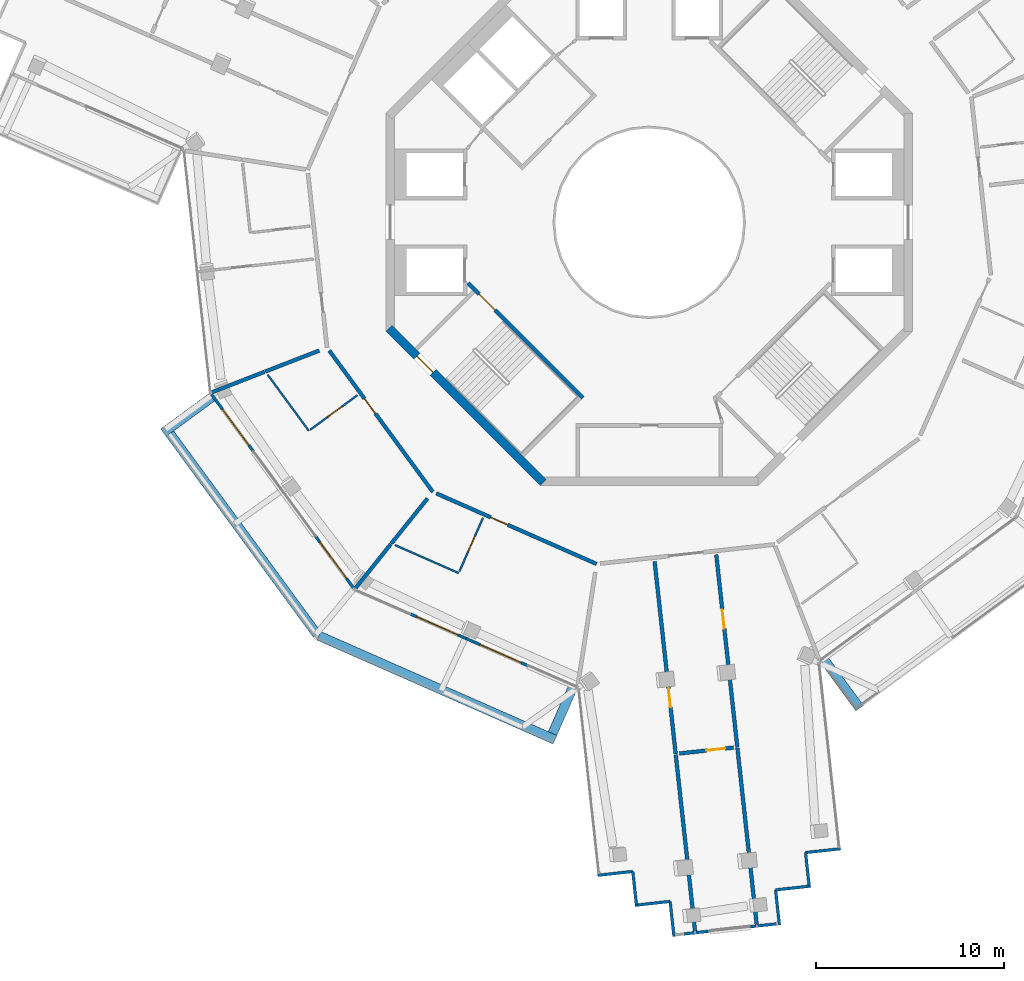
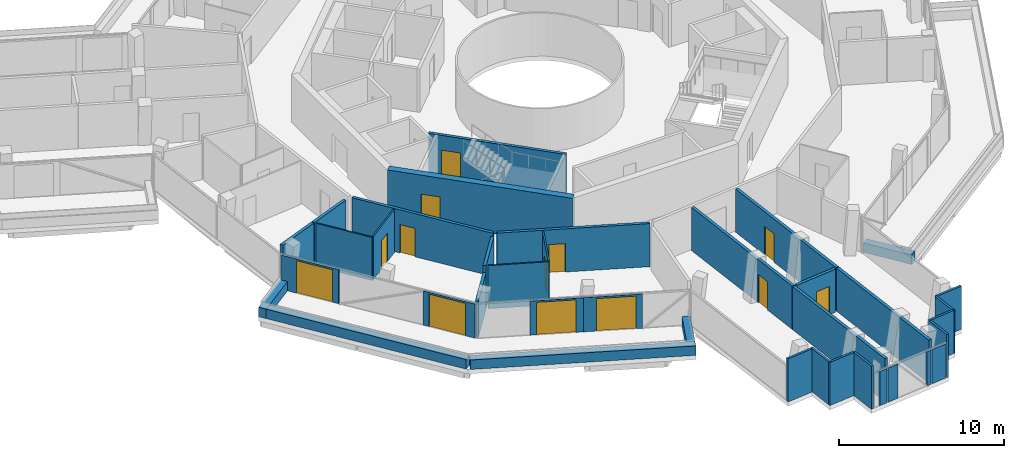
# One storey, part 16 of 24: 38 walls, 13 doors, 13 openings.
"""IFC4 building model written with IfcOpenShell, lengths in metres."""

from ifc_helpers import new_model, si_unit, direction, frame, frame_2d, origin, place, context, subcontext, project, spatial, rectangle, extrude, material, layer, layer_set, type_object, element, fill, save


model = new_model("IFC4")

# Units and contexts
model_context = context("Model", 3, precision=1e-05, world=origin(), true_north=direction((0.0, 1.0)))
body_context = subcontext(model_context, "Body", "Model", "MODEL_VIEW")
ifc_project = project(units=[si_unit("LENGTHUNIT", "METRE"), si_unit("AREAUNIT", "SQUARE_METRE"), si_unit("VOLUMEUNIT", "CUBIC_METRE"), si_unit("PLANEANGLEUNIT", "RADIAN"), si_unit("MASSUNIT", "GRAM", prefix="KILO")], contexts=[model_context])

# Site, building, storey
site_placement = place(None, origin())
site = spatial("IfcSite", under=ifc_project, at=site_placement, CompositionType="ELEMENT")
building_placement = place(site_placement, origin())
building = spatial("IfcBuilding", under=site, at=building_placement, Name="Verdalira Terraces Hotel", CompositionType="ELEMENT")
storey_placement = place(building_placement, frame((0.0, 0.0, 303.0)))
storey = spatial("IfcBuildingStorey", under=building, at=storey_placement, Name="L75", CompositionType="ELEMENT", Elevation=303.0)

# Walls
ifc_material_1 = material(Name="Concrete C40", Category="concrete")
ifc_layer_1 = layer(ifc_material_1, 0.5)
ifc_layer_set_1 = layer_set([ifc_layer_1], Name="Balcony planter trough with tree")
wall_type_1 = type_object("IfcWallType", Name="Balcony planter trough with tree", PredefinedType="SOLIDWALL", material=ifc_layer_set_1)
wall_1_placement = place(storey_placement, frame((-23.26123, -9.300537, 0.0), z_axis=(0.0, 0.0, 1.0), x_axis=(-0.806545701, -0.591171745, 0.0)))
element("IfcWall", 1, at=wall_1_placement, inside=storey, type_object=wall_type_1, Name="Balcony planter", PredefinedType="SOLIDWALL", context=body_context, shape_type="SweptSolid", body=[
    extrude(rectangle(XDim=3.198975, YDim=0.5, at=frame_2d((1.599609, 0.0))), origin(), (0.0, 0.0, 1.0), 0.699951),
])
wall_2_placement = place(storey_placement, frame((-25.491943, -11.245361, 0.0), z_axis=(0.0, 0.0, 1.0), x_axis=(0.591166749, -0.806549363, 0.0)))
element("IfcWall", 2, at=wall_2_placement, inside=storey, type_object=wall_type_1, Name="Balcony planter", PredefinedType="SOLIDWALL", context=body_context, shape_type="SweptSolid", body=[
    extrude(rectangle(XDim=13.223633, YDim=0.5, at=frame_2d((6.611816, 0.0))), origin(), (0.0, 0.0, 1.0), 0.699951),
])
wall_3_placement = place(storey_placement, frame((-17.57373, -21.991699, 0.0), z_axis=(0.0, 0.0, 1.0), x_axis=(0.915240781, -0.402907326, 0.0)))
element("IfcWall", 3, at=wall_3_placement, inside=storey, type_object=wall_type_1, Name="Balcony planter", PredefinedType="SOLIDWALL", context=body_context, shape_type="SweptSolid", body=[
    extrude(rectangle(XDim=13.723389, YDim=0.5, at=frame_2d((6.861816, 0.0))), origin(), (0.0, 0.0, 1.0), 0.699951),
])
wall_4_placement = place(storey_placement, frame((-5.141357, -27.19165, 0.0), z_axis=(0.0, 0.0, 1.0), x_axis=(0.402862888, 0.915260342, 0.0)))
element("IfcWall", 4, at=wall_4_placement, inside=storey, type_object=wall_type_1, Name="Balcony planter", PredefinedType="SOLIDWALL", context=body_context, shape_type="SweptSolid", body=[
    extrude(rectangle(XDim=2.699219, YDim=0.5, at=frame_2d((1.349609, 0.0))), origin(), (0.0, 0.0, 1.0), 0.699951),
])
wall_5_placement = place(storey_placement, frame((9.300537, -23.26123, 0.0), z_axis=(0.0, 0.0, 1.0), x_axis=(0.591171745, -0.806545701, 0.0)))
element("IfcWall", 5, at=wall_5_placement, inside=storey, type_object=wall_type_1, Name="Balcony planter", PredefinedType="SOLIDWALL", context=body_context, shape_type="SweptSolid", body=[
    extrude(rectangle(XDim=3.198975, YDim=0.5, at=frame_2d((1.599609, 0.0))), origin(), (0.0, 0.0, 1.0), 0.699951),
])
ifc_material_2 = material(Name="Moisture-resistant gypsum board partition")
ifc_layer_2 = layer(ifc_material_2, 0.10009765625)
ifc_layer_set_2 = layer_set([ifc_layer_2], Name="Bathroom partition 100 mm")
wall_type_2 = type_object("IfcWallType", Name="Bathroom partition 100 mm", PredefinedType="PARTITIONING", material=ifc_layer_set_2)
wall_6_placement = place(storey_placement, frame((-18.104736, -11.090088, 0.0), z_axis=(0.0, 0.0, 1.0), x_axis=(-0.59111503, 0.806587268, 0.0)))
element("IfcWall", 6, at=wall_6_placement, inside=storey, type_object=wall_type_2, Name="Bathroom partition", PredefinedType="PARTITIONING", context=body_context, shape_type="SweptSolid", body=[
    extrude(rectangle(XDim=3.703857, YDim=0.100098, at=frame_2d((1.852051, 0.0))), origin(), (0.0, 0.0, 1.0), 3.189941),
])

# Wall, opening, door
wall_7_placement = place(storey_placement, frame((-18.023926, -11.031006, 0.0), z_axis=(0.0, 0.0, 1.0), x_axis=(0.806520153, 0.5912066, 0.0)))
wall_7 = element("IfcWall", 7, at=wall_7_placement, inside=storey, type_object=wall_type_2, Name="Bathroom partition", PredefinedType="PARTITIONING", context=body_context, shape_type="SweptSolid", body=[
    extrude(rectangle(XDim=3.100098, YDim=0.100098, at=frame_2d((1.550049, 0.0))), origin(), (0.0, 0.0, 1.0), 3.189941),
])
opening_1_placement = place(wall_7_placement, frame((1.149902, 0.0, 0.0)))
opening_1 = element("IfcOpeningElement", 8, at=opening_1_placement, cuts=wall_7, Name="Opening L75-109", PredefinedType="OPENING", context=body_context, shape_type="SweptSolid", body=[
    extrude(rectangle(XDim=0.899902, YDim=2.100098, at=frame_2d((0.449951, 1.050049))), frame((0.0, 0.060059, 0.0), z_axis=(0.0, -1.0, 0.0), x_axis=(1.0, 0.0, 0.0)), (0.0, 0.0, 1.0), 0.120117),
])
ifc_material_3 = material(Name="Timber door", Category="wood")
door_type_1 = type_object("IfcDoorType", Name="Bathroom door 900 x 2100", OperationType="NOTDEFINED", PredefinedType="DOOR", material=ifc_material_3)
door_1_placement = place(opening_1_placement, origin())
door_1 = element("IfcDoor", 9, at=door_1_placement, inside=storey, type_object=door_type_1, Name="Bathroom door 7503", OperationType="SINGLE_SWING_LEFT", OverallHeight=2.10009765625, OverallWidth=0.89990234375, PredefinedType="DOOR", context=body_context, shape_type="SweptSolid", body=[
    extrude(rectangle(XDim=0.899902, YDim=2.100098, at=frame_2d((0.449951, 1.050049))), frame((0.0, 0.024902, 0.0), z_axis=(0.0, -1.0, 0.0), x_axis=(1.0, 0.0, 0.0)), (0.0, 0.0, 1.0), 0.050049),
])
fill(opening_1, door_1)

# Wall
wall_8_placement = place(storey_placement, frame((-10.134033, -18.656494, 0.0), z_axis=(0.0, 0.0, 1.0), x_axis=(-0.915262542, 0.40285789, 0.0)))
element("IfcWall", 10, at=wall_8_placement, inside=storey, type_object=wall_type_2, Name="Bathroom partition", PredefinedType="PARTITIONING", context=body_context, shape_type="SweptSolid", body=[
    extrude(rectangle(XDim=3.704102, YDim=0.100098, at=frame_2d((1.852051, 0.0))), origin(), (0.0, 0.0, 1.0), 3.189941),
])

# Wall, opening, door
wall_9_placement = place(storey_placement, frame((-10.09375, -18.564941, 0.0), z_axis=(0.0, 0.0, 1.0), x_axis=(0.402920719, 0.915234885, 0.0)))
wall_9 = element("IfcWall", 11, at=wall_9_placement, inside=storey, type_object=wall_type_2, Name="Bathroom partition", PredefinedType="PARTITIONING", context=body_context, shape_type="SweptSolid", body=[
    extrude(rectangle(XDim=3.099854, YDim=0.100098, at=frame_2d((1.549805, 0.0))), origin(), (0.0, 0.0, 1.0), 3.189941),
])
opening_2_placement = place(wall_9_placement, frame((1.149902, 0.0, 0.0)))
opening_2 = element("IfcOpeningElement", 12, at=opening_2_placement, cuts=wall_9, Name="Opening L75-111", PredefinedType="OPENING", context=body_context, shape_type="SweptSolid", body=[
    extrude(rectangle(XDim=0.899902, YDim=2.100098, at=frame_2d((0.449951, 1.050049))), frame((0.0, 0.060059, 0.0), z_axis=(0.0, -1.0, 0.0), x_axis=(1.0, 0.0, 0.0)), (0.0, 0.0, 1.0), 0.120117),
])
door_2_placement = place(opening_2_placement, origin())
door_2 = element("IfcDoor", 13, at=door_2_placement, inside=storey, type_object=door_type_1, Name="Bathroom door 7504", OperationType="SINGLE_SWING_LEFT", OverallHeight=2.10009765625, OverallWidth=0.89990234375, PredefinedType="DOOR", context=body_context, shape_type="SweptSolid", body=[
    extrude(rectangle(XDim=0.899902, YDim=2.100098, at=frame_2d((0.449951, 1.050049))), frame((0.0, 0.024902, 0.0), z_axis=(0.0, -1.0, 0.0), x_axis=(1.0, 0.0, 0.0)), (0.0, 0.0, 1.0), 0.050049),
])
fill(opening_2, door_2)

ifc_material_4 = material(Name="Concrete C50", Category="concrete")
ifc_layer_3 = layer(ifc_material_4, 0.199951171875)
ifc_layer_set_3 = layer_set([ifc_layer_3], Name="Core RC wall 200 C50")
wall_type_3 = type_object("IfcWallType", Name="Core RC wall 200 C50", PredefinedType="SOLIDWALL", material=ifc_layer_set_3)
wall_10_placement = place(storey_placement, frame((-3.5354, -9.33374, 0.0), z_axis=(0.0, 0.0, 1.0), x_axis=(-0.707120946, 0.707092617, 0.0)))
wall_10 = element("IfcWall", 14, at=wall_10_placement, inside=storey, type_object=wall_type_3, Name="L75 stair ST2 front wall", PredefinedType="SOLIDWALL", context=body_context, shape_type="SweptSolid", body=[
    extrude(rectangle(XDim=8.61792, YDim=0.199951, at=frame_2d((4.309082, 0.0))), origin(), (0.0, 0.0, 1.0), 3.189941),
])
opening_3_placement = place(wall_10_placement, frame((6.600098, 0.0, 0.0)))
opening_3 = element("IfcOpeningElement", 15, at=opening_3_placement, cuts=wall_10, Name="Opening L75-811", PredefinedType="OPENING", context=body_context, shape_type="SweptSolid", body=[
    extrude(rectangle(XDim=1.199951, YDim=2.100098, at=frame_2d((0.600098, 1.050049))), frame((0.0, 0.109863, 0.0), z_axis=(0.0, -1.0, 0.0), x_axis=(1.0, 0.0, 0.0)), (0.0, 0.0, 1.0), 0.219971),
])
ifc_material_5 = material(Name="Steel fire door", Category="steel")
door_type_2 = type_object("IfcDoorType", Name="Stair door 1200 x 2100", OperationType="NOTDEFINED", PredefinedType="DOOR", material=ifc_material_5)
door_3_placement = place(opening_3_placement, origin())
door_3 = element("IfcDoor", 16, at=door_3_placement, inside=storey, type_object=door_type_2, Name="Stair door ST2 L75", OperationType="SINGLE_SWING_RIGHT", OverallHeight=2.10009765625, OverallWidth=1.199951171875, PredefinedType="DOOR", context=body_context, shape_type="SweptSolid", body=[
    extrude(rectangle(XDim=1.199951, YDim=2.100098, at=frame_2d((0.600098, 1.050049))), frame((0.0, 0.024902, 0.0), z_axis=(0.0, -1.0, 0.0), x_axis=(1.0, 0.0, 0.0)), (0.0, 0.0, 1.0), 0.050049),
])
fill(opening_3, door_3)

ifc_material_6 = material(Name="Concrete C50", Category="concrete")
ifc_layer_4 = layer(ifc_material_6, 0.449951171875)
ifc_layer_set_4 = layer_set([ifc_layer_4], Name="Core wall 450 C50")
wall_type_4 = type_object("IfcWallType", Name="Core wall 450 C50", PredefinedType="SHEAR", material=ifc_layer_set_4)
wall_11_placement = place(storey_placement, frame((-13.84082, -5.639893, 0.0), z_axis=(0.0, 0.0, 1.0), x_axis=(0.707106781, -0.707106781, 0.0)))
wall_11 = element("IfcWall", 17, at=wall_11_placement, inside=storey, type_object=wall_type_4, Name="Core wall CW-L75-6", PredefinedType="SHEAR", context=body_context, shape_type="SweptSolid", body=[
    extrude(rectangle(XDim=11.5979, YDim=0.449951, at=frame_2d((5.798828, 0.0))), origin(), (0.0, 0.0, 1.0), 3.5),
])
opening_4_placement = place(wall_11_placement, frame((2.099121, 0.0, 0.0)))
opening_4 = element("IfcOpeningElement", 18, at=opening_4_placement, cuts=wall_11, Name="Opening L75-817", PredefinedType="OPENING", context=body_context, shape_type="SweptSolid", body=[
    extrude(rectangle(XDim=1.199951, YDim=2.100098, at=frame_2d((0.600098, 1.050049))), frame((0.0, 0.234863, 0.0), z_axis=(0.0, -1.0, 0.0), x_axis=(1.0, 0.0, 0.0)), (0.0, 0.0, 1.0), 0.469971),
])
door_4_placement = place(opening_4_placement, origin())
door_4 = element("IfcDoor", 19, at=door_4_placement, inside=storey, type_object=door_type_2, Name="Stair exit door ST2 L75", OperationType="SINGLE_SWING_LEFT", OverallHeight=2.10009765625, OverallWidth=1.199951171875, PredefinedType="DOOR", context=body_context, shape_type="SweptSolid", body=[
    extrude(rectangle(XDim=1.199951, YDim=2.100098, at=frame_2d((0.600098, 1.050049))), frame((0.0, 0.024902, 0.0), z_axis=(0.0, -1.0, 0.0), x_axis=(1.0, 0.0, 0.0)), (0.0, 0.0, 1.0), 0.050049),
])
fill(opening_4, door_4)

# Walls
ifc_material_7 = material(Name="Fire-rated gypsum board wall")
ifc_layer_5 = layer(ifc_material_7, 0.199951171875)
ifc_layer_set_5 = layer_set([ifc_layer_5], Name="Demising wall 200 mm")
wall_type_5 = type_object("IfcWallType", Name="Demising wall 200 mm", PredefinedType="SOLIDWALL", material=ifc_layer_set_5)
wall_12_placement = place(storey_placement, frame((-20.461426, -7.952881, 0.0), z_axis=(0.0, 0.0, 1.0), x_axis=(-0.932060953, -0.362301505, 0.0)))
element("IfcWall", 20, at=wall_12_placement, inside=storey, type_object=wall_type_5, Name="Demising wall", PredefinedType="SOLIDWALL", context=body_context, shape_type="SweptSolid", body=[
    extrude(rectangle(XDim=3.011475, YDim=0.199951, at=frame_2d((1.505859, 0.0))), origin(), (0.0, 0.0, 1.0), 3.189941),
])
wall_13_placement = place(storey_placement, frame((-17.552734, -6.82251, 0.0), z_axis=(0.0, 0.0, 1.0), x_axis=(-0.932089582, -0.362227845, 0.0)))
element("IfcWall", 21, at=wall_13_placement, inside=storey, type_object=wall_type_5, Name="Demising wall", PredefinedType="SOLIDWALL", context=body_context, shape_type="SweptSolid", body=[
    extrude(rectangle(XDim=3.074707, YDim=0.199951, at=frame_2d((1.537354, 0.0))), origin(), (0.0, 0.0, 1.0), 3.189941),
])
wall_14_placement = place(storey_placement, frame((-11.790039, -14.684814, 0.0), z_axis=(0.0, 0.0, 1.0), x_axis=(-0.626049846, -0.77978304, 0.0)))
element("IfcWall", 22, at=wall_14_placement, inside=storey, type_object=wall_type_5, Name="Demising wall", PredefinedType="SOLIDWALL", context=body_context, shape_type="SweptSolid", body=[
    extrude(rectangle(XDim=3.074463, YDim=0.199951, at=frame_2d((1.537109, 0.0))), origin(), (0.0, 0.0, 1.0), 3.189941),
])

# Wall, opening, door
wall_15_placement = place(storey_placement, frame((1.407471, -28.274902, 0.0), z_axis=(0.0, 0.0, 1.0), x_axis=(-0.108704271, 0.994074133, 0.0)))
wall_15 = element("IfcWall", 23, at=wall_15_placement, inside=storey, type_object=wall_type_5, Name="Demising wall", PredefinedType="SOLIDWALL", context=body_context, shape_type="SweptSolid", body=[
    extrude(rectangle(XDim=10.302002, YDim=0.199951, at=frame_2d((5.150879, 0.0))), origin(), (0.0, 0.0, 1.0), 3.189941),
])
opening_5_placement = place(wall_15_placement, frame((2.5, 0.0, 0.0)))
opening_5 = element("IfcOpeningElement", 24, at=opening_5_placement, cuts=wall_15, Name="Opening L75-113", PredefinedType="OPENING", context=body_context, shape_type="SweptSolid", body=[
    extrude(rectangle(XDim=1.0, YDim=2.100098, at=frame_2d((0.5, 1.050049))), frame((0.0, 0.109863, 0.0), z_axis=(0.0, -1.0, 0.0), x_axis=(1.0, 0.0, 0.0)), (0.0, 0.0, 1.0), 0.219971),
])
ifc_material_8 = material(Name="Timber fire door", Category="wood")
door_type_3 = type_object("IfcDoorType", Name="Public room door 1000 x 2100", OperationType="NOTDEFINED", PredefinedType="DOOR", material=ifc_material_8)
door_5_placement = place(opening_5_placement, origin())
door_5 = element("IfcDoor", 25, at=door_5_placement, inside=storey, type_object=door_type_3, Name="Public room door 7505", OperationType="SINGLE_SWING_LEFT", OverallHeight=2.10009765625, OverallWidth=1.0, PredefinedType="DOOR", context=body_context, shape_type="SweptSolid", body=[
    extrude(rectangle(XDim=1.0, YDim=2.100098, at=frame_2d((0.5, 1.050049))), frame((0.0, 0.024902, 0.0), z_axis=(0.0, -1.0, 0.0), x_axis=(1.0, 0.0, 0.0)), (0.0, 0.0, 1.0), 0.050049),
])
fill(opening_5, door_5)

# Wall
wall_16_placement = place(storey_placement, frame((1.412354, -28.320557, 0.0), z_axis=(0.0, 0.0, 1.0), x_axis=(0.108692675, -0.994075401, 0.0)))
element("IfcWall", 26, at=wall_16_placement, inside=storey, type_object=wall_type_5, Name="Demising wall", PredefinedType="SOLIDWALL", context=body_context, shape_type="SweptSolid", body=[
    extrude(rectangle(XDim=9.447266, YDim=0.199951, at=frame_2d((4.723633, 0.0))), origin(), (0.0, 0.0, 1.0), 3.189941),
])

# Wall, opening, door
wall_17_placement = place(storey_placement, frame((4.486816, -27.936279, 0.0), z_axis=(0.0, 0.0, 1.0), x_axis=(-0.994077381, -0.108674561, 0.0)))
wall_17 = element("IfcWall", 27, at=wall_17_placement, inside=storey, type_object=wall_type_5, Name="Demising wall", PredefinedType="SOLIDWALL", context=body_context, shape_type="SweptSolid", body=[
    extrude(rectangle(XDim=2.897949, YDim=0.199951, at=frame_2d((1.448975, 0.0))), origin(), (0.0, 0.0, 1.0), 3.189941),
])
opening_6_placement = place(wall_17_placement, frame((0.449951, 0.0, 0.0)))
opening_6 = element("IfcOpeningElement", 28, at=opening_6_placement, cuts=wall_17, Name="Opening L75-115", PredefinedType="OPENING", context=body_context, shape_type="SweptSolid", body=[
    extrude(rectangle(XDim=1.0, YDim=2.100098, at=frame_2d((0.5, 1.050049))), frame((0.0, 0.109863, 0.0), z_axis=(0.0, -1.0, 0.0), x_axis=(1.0, 0.0, 0.0)), (0.0, 0.0, 1.0), 0.219971),
])
door_6_placement = place(opening_6_placement, origin())
door_6 = element("IfcDoor", 29, at=door_6_placement, inside=storey, type_object=door_type_3, Name="Public room door 7505", OperationType="SINGLE_SWING_LEFT", OverallHeight=2.10009765625, OverallWidth=1.0, PredefinedType="DOOR", context=body_context, shape_type="SweptSolid", body=[
    extrude(rectangle(XDim=1.0, YDim=2.100098, at=frame_2d((0.5, 1.050049))), frame((0.0, 0.024902, 0.0), z_axis=(0.0, -1.0, 0.0), x_axis=(1.0, 0.0, 0.0)), (0.0, 0.0, 1.0), 0.050049),
])
fill(opening_6, door_6)

wall_18_placement = place(storey_placement, frame((3.566162, -17.675293, 0.0), z_axis=(0.0, 0.0, 1.0), x_axis=(0.108678292, -0.994076973, 0.0)))
wall_18 = element("IfcWall", 30, at=wall_18_placement, inside=storey, type_object=wall_type_5, Name="Demising wall", PredefinedType="SOLIDWALL", context=body_context, shape_type="SweptSolid", body=[
    extrude(rectangle(XDim=10.302246, YDim=0.199951, at=frame_2d((5.151123, 0.0))), origin(), (0.0, 0.0, 1.0), 3.189941),
])
opening_7_placement = place(wall_18_placement, frame((2.949951, 0.0, 0.0)))
opening_7 = element("IfcOpeningElement", 31, at=opening_7_placement, cuts=wall_18, Name="Opening L75-114", PredefinedType="OPENING", context=body_context, shape_type="SweptSolid", body=[
    extrude(rectangle(XDim=1.0, YDim=2.100098, at=frame_2d((0.5, 1.050049))), frame((0.0, 0.109863, 0.0), z_axis=(0.0, -1.0, 0.0), x_axis=(1.0, 0.0, 0.0)), (0.0, 0.0, 1.0), 0.219971),
])
door_7_placement = place(opening_7_placement, origin())
door_7 = element("IfcDoor", 32, at=door_7_placement, inside=storey, type_object=door_type_3, Name="Public room door 7505", OperationType="SINGLE_SWING_LEFT", OverallHeight=2.10009765625, OverallWidth=1.0, PredefinedType="DOOR", context=body_context, shape_type="SweptSolid", body=[
    extrude(rectangle(XDim=1.0, YDim=2.100098, at=frame_2d((0.5, 1.050049))), frame((0.0, 0.024902, 0.0), z_axis=(0.0, -1.0, 0.0), x_axis=(1.0, 0.0, 0.0)), (0.0, 0.0, 1.0), 0.050049),
])
fill(opening_7, door_7)

# Walls
wall_19_placement = place(storey_placement, frame((5.717773, -37.353516, 0.0), z_axis=(0.0, 0.0, 1.0), x_axis=(-0.108692675, 0.994075401, 0.0)))
element("IfcWall", 33, at=wall_19_placement, inside=storey, type_object=wall_type_5, Name="Demising wall", PredefinedType="SOLIDWALL", context=body_context, shape_type="SweptSolid", body=[
    extrude(rectangle(XDim=9.447266, YDim=0.199951, at=frame_2d((4.723633, 0.0))), origin(), (0.0, 0.0, 1.0), 3.189941),
])
ifc_material_9 = material(Name="Fire-rated gypsum board wall")
ifc_layer_6 = layer(ifc_material_9, 0.199951171875)
ifc_layer_set_6 = layer_set([ifc_layer_6], Name="Demising wall 200 mm to beam soffit")
wall_type_6 = type_object("IfcWallType", Name="Demising wall 200 mm to beam soffit", PredefinedType="SOLIDWALL", material=ifc_layer_set_6)
wall_20_placement = place(storey_placement, frame((-13.743652, -17.118164, 0.0), z_axis=(0.0, 0.0, 1.0), x_axis=(-0.626058521, -0.779776076, 0.0)))
element("IfcWall", 34, at=wall_20_placement, inside=storey, type_object=wall_type_6, Name="Demising wall", PredefinedType="SOLIDWALL", context=body_context, shape_type="SweptSolid", body=[
    extrude(rectangle(XDim=3.01123, YDim=0.199951, at=frame_2d((1.505615, 0.0))), origin(), (0.0, 0.0, 1.0), 2.689941),
])

# Wall, opening, door
ifc_material_10 = material(Name="Fire-rated gypsum board wall")
ifc_layer_7 = layer(ifc_material_10, 0.199951171875)
ifc_layer_set_7 = layer_set([ifc_layer_7], Name="Guest corridor wall 200 mm")
wall_type_7 = type_object("IfcWallType", Name="Guest corridor wall 200 mm", PredefinedType="SOLIDWALL", material=ifc_layer_set_7)
wall_21_placement = place(storey_placement, frame((-11.51001, -14.335938, 0.0), z_axis=(0.0, 0.0, 1.0), x_axis=(-0.591167106, 0.806549101, 0.0)))
wall_21 = element("IfcWall", 35, at=wall_21_placement, inside=storey, type_object=wall_type_7, Name="Guest corridor wall", PredefinedType="SOLIDWALL", context=body_context, shape_type="SweptSolid", body=[
    extrude(rectangle(XDim=9.316406, YDim=0.199951, at=frame_2d((4.658203, 0.0))), origin(), (0.0, 0.0, 1.0), 3.189941),
])
opening_8_placement = place(wall_21_placement, frame((5.149902, 0.0, 0.0)))
opening_8 = element("IfcOpeningElement", 36, at=opening_8_placement, cuts=wall_21, Name="Opening L75-108", PredefinedType="OPENING", context=body_context, shape_type="SweptSolid", body=[
    extrude(rectangle(XDim=1.0, YDim=2.100098, at=frame_2d((0.5, 1.050049))), frame((0.0, 0.109863, 0.0), z_axis=(0.0, -1.0, 0.0), x_axis=(1.0, 0.0, 0.0)), (0.0, 0.0, 1.0), 0.219971),
])
ifc_material_11 = material(Name="Timber fire door", Category="wood")
door_type_4 = type_object("IfcDoorType", Name="Guest entry door 1000 x 2100", OperationType="NOTDEFINED", PredefinedType="DOOR", material=ifc_material_11)
door_8_placement = place(opening_8_placement, origin())
door_8 = element("IfcDoor", 37, at=door_8_placement, inside=storey, type_object=door_type_4, Name="Guest entry door 7503", OperationType="SINGLE_SWING_LEFT", OverallHeight=2.10009765625, OverallWidth=1.0, PredefinedType="DOOR", context=body_context, shape_type="SweptSolid", body=[
    extrude(rectangle(XDim=1.0, YDim=2.100098, at=frame_2d((0.5, 1.050049))), frame((0.0, 0.024902, 0.0), z_axis=(0.0, -1.0, 0.0), x_axis=(1.0, 0.0, 0.0)), (0.0, 0.0, 1.0), 0.050049),
])
fill(opening_8, door_8)

wall_22_placement = place(storey_placement, frame((-2.800049, -18.17041, 0.0), z_axis=(0.0, 0.0, 1.0), x_axis=(-0.915232324, 0.402926536, 0.0)))
wall_22 = element("IfcWall", 38, at=wall_22_placement, inside=storey, type_object=wall_type_7, Name="Guest corridor wall", PredefinedType="SOLIDWALL", context=body_context, shape_type="SweptSolid", body=[
    extrude(rectangle(XDim=9.31665, YDim=0.199951, at=frame_2d((4.658203, 0.0))), origin(), (0.0, 0.0, 1.0), 3.189941),
])
opening_9_placement = place(wall_22_placement, frame((5.149902, 0.0, 0.0)))
opening_9 = element("IfcOpeningElement", 39, at=opening_9_placement, cuts=wall_22, Name="Opening L75-110", PredefinedType="OPENING", context=body_context, shape_type="SweptSolid", body=[
    extrude(rectangle(XDim=1.0, YDim=2.100098, at=frame_2d((0.5, 1.050049))), frame((0.0, 0.109863, 0.0), z_axis=(0.0, -1.0, 0.0), x_axis=(1.0, 0.0, 0.0)), (0.0, 0.0, 1.0), 0.219971),
])
door_9_placement = place(opening_9_placement, origin())
door_9 = element("IfcDoor", 40, at=door_9_placement, inside=storey, type_object=door_type_4, Name="Guest entry door 7504", OperationType="SINGLE_SWING_LEFT", OverallHeight=2.10009765625, OverallWidth=1.0, PredefinedType="DOOR", context=body_context, shape_type="SweptSolid", body=[
    extrude(rectangle(XDim=1.0, YDim=2.100098, at=frame_2d((0.5, 1.050049))), frame((0.0, 0.024902, 0.0), z_axis=(0.0, -1.0, 0.0), x_axis=(1.0, 0.0, 0.0)), (0.0, 0.0, 1.0), 0.050049),
])
fill(opening_9, door_9)

# Walls
ifc_material_12 = material(Name="Terracotta cladding", Category="masonry")
ifc_layer_8 = layer(ifc_material_12, 0.14990234375)
ifc_layer_set_8 = layer_set([ifc_layer_8], Name="Terracotta clad wall 150")
wall_type_8 = type_object("IfcWallType", Name="Terracotta clad wall 150", PredefinedType="SOLIDWALL", material=ifc_layer_set_8)
wall_23_placement = place(storey_placement, frame((-2.740967, -34.732178, 0.0), z_axis=(0.0, 0.0, 1.0), x_axis=(0.994085318, 0.108601933, 0.0)))
element("IfcWall", 41, at=wall_23_placement, inside=storey, type_object=wall_type_8, Name="Terracotta cladding wall", PredefinedType="SOLIDWALL", context=body_context, shape_type="SweptSolid", body=[
    extrude(rectangle(XDim=1.874756, YDim=0.149902, at=frame_2d((0.9375, 0.0))), origin(), (0.0, 0.0, 1.0), 3.189941),
])
wall_24_placement = place(storey_placement, frame((-0.877197, -34.528564, 0.0), z_axis=(0.0, 0.0, 1.0), x_axis=(0.108644914, -0.994080622, 0.0)))
element("IfcWall", 42, at=wall_24_placement, inside=storey, type_object=wall_type_8, Name="Terracotta cladding wall", PredefinedType="SOLIDWALL", context=body_context, shape_type="SweptSolid", body=[
    extrude(rectangle(XDim=1.800049, YDim=0.149902, at=frame_2d((0.899902, 0.0))), origin(), (0.0, 0.0, 1.0), 3.189941),
])
wall_25_placement = place(storey_placement, frame((-0.756104, -36.325928, 0.0), z_axis=(0.0, 0.0, 1.0), x_axis=(0.994072791, 0.10871654, 0.0)))
element("IfcWall", 43, at=wall_25_placement, inside=storey, type_object=wall_type_8, Name="Terracotta cladding wall", PredefinedType="SOLIDWALL", context=body_context, shape_type="SweptSolid", body=[
    extrude(rectangle(XDim=1.875244, YDim=0.149902, at=frame_2d((0.9375, 0.0))), origin(), (0.0, 0.0, 1.0), 3.189941),
])
wall_26_placement = place(storey_placement, frame((1.10791, -36.12207, 0.0), z_axis=(0.0, 0.0, 1.0), x_axis=(0.108587876, -0.994086854, 0.0)))
element("IfcWall", 44, at=wall_26_placement, inside=storey, type_object=wall_type_8, Name="Terracotta cladding wall", PredefinedType="SOLIDWALL", context=body_context, shape_type="SweptSolid", body=[
    extrude(rectangle(XDim=1.875, YDim=0.149902, at=frame_2d((0.9375, 0.0))), origin(), (0.0, 0.0, 1.0), 3.189941),
])
wall_27_placement = place(storey_placement, frame((6.928223, -37.37207, 0.0), z_axis=(0.0, 0.0, 1.0), x_axis=(-0.10871654, 0.994072791, 0.0)))
element("IfcWall", 45, at=wall_27_placement, inside=storey, type_object=wall_type_8, Name="Terracotta cladding wall", PredefinedType="SOLIDWALL", context=body_context, shape_type="SweptSolid", body=[
    extrude(rectangle(XDim=1.875244, YDim=0.149902, at=frame_2d((0.9375, 0.0))), origin(), (0.0, 0.0, 1.0), 3.189941),
])
wall_28_placement = place(storey_placement, frame((6.724365, -35.508057, 0.0), z_axis=(0.0, 0.0, 1.0), x_axis=(0.994080622, 0.108644914, 0.0)))
element("IfcWall", 46, at=wall_28_placement, inside=storey, type_object=wall_type_8, Name="Terracotta cladding wall", PredefinedType="SOLIDWALL", context=body_context, shape_type="SweptSolid", body=[
    extrude(rectangle(XDim=1.800049, YDim=0.149902, at=frame_2d((0.899902, 0.0))), origin(), (0.0, 0.0, 1.0), 3.189941),
])
wall_29_placement = place(storey_placement, frame((8.521729, -35.386963, 0.0), z_axis=(0.0, 0.0, 1.0), x_axis=(-0.108601933, 0.994085318, 0.0)))
element("IfcWall", 47, at=wall_29_placement, inside=storey, type_object=wall_type_8, Name="Terracotta cladding wall", PredefinedType="SOLIDWALL", context=body_context, shape_type="SweptSolid", body=[
    extrude(rectangle(XDim=1.874756, YDim=0.149902, at=frame_2d((0.9375, 0.0))), origin(), (0.0, 0.0, 1.0), 3.189941),
])
wall_30_placement = place(storey_placement, frame((8.318115, -33.523193, 0.0), z_axis=(0.0, 0.0, 1.0), x_axis=(0.994071252, 0.108730612, 0.0)))
element("IfcWall", 48, at=wall_30_placement, inside=storey, type_object=wall_type_8, Name="Terracotta cladding wall", PredefinedType="SOLIDWALL", context=body_context, shape_type="SweptSolid", body=[
    extrude(rectangle(XDim=1.875, YDim=0.149902, at=frame_2d((0.9375, 0.0))), origin(), (0.0, 0.0, 1.0), 3.189941),
])
ifc_material_13 = material(Name="Terracotta cladding", Category="masonry")
ifc_layer_9 = layer(ifc_material_13, 0.14990234375)
ifc_layer_set_9 = layer_set([ifc_layer_9], Name="Terracotta column pier 150")
wall_type_9 = type_object("IfcWallType", Name="Terracotta column pier 150", PredefinedType="SOLIDWALL", material=ifc_layer_set_9)
wall_31_placement = place(storey_placement, frame((1.855225, -37.851074, 0.0), z_axis=(0.0, 0.0, 1.0), x_axis=(0.994096148, 0.108502761, 0.0)))
element("IfcWall", 49, at=wall_31_placement, inside=storey, type_object=wall_type_9, Name="Terracotta column pier", PredefinedType="SOLIDWALL", context=body_context, shape_type="SweptSolid", body=[
    extrude(rectangle(XDim=0.555664, YDim=0.149902, at=frame_2d((0.277832, 0.0))), origin(), (0.0, 0.0, 1.0), 2.524902),
])
wall_32_placement = place(storey_placement, frame((2.487305, -37.781982, 0.0), z_axis=(0.0, 0.0, 1.0), x_axis=(0.994086399, 0.108592041, 0.0)))
element("IfcWall", 50, at=wall_32_placement, inside=storey, type_object=wall_type_9, Name="Terracotta column pier", PredefinedType="SOLIDWALL", context=body_context, shape_type="SweptSolid", body=[
    extrude(rectangle(XDim=0.728516, YDim=0.149902, at=frame_2d((0.364258, 0.0))), origin(), (0.0, 0.0, 1.0), 2.524902),
])
wall_33_placement = place(storey_placement, frame((5.387939, -37.464844, 0.0), z_axis=(0.0, 0.0, 1.0), x_axis=(0.994119719, 0.108286587, 0.0)))
element("IfcWall", 51, at=wall_33_placement, inside=storey, type_object=wall_type_9, Name="Terracotta column pier", PredefinedType="SOLIDWALL", context=body_context, shape_type="SweptSolid", body=[
    extrude(rectangle(XDim=0.299805, YDim=0.149902, at=frame_2d((0.149902, 0.0))), origin(), (0.0, 0.0, 1.0), 2.524902),
])
wall_34_placement = place(storey_placement, frame((5.765625, -37.423584, 0.0), z_axis=(0.0, 0.0, 1.0), x_axis=(0.99407456, 0.108700367, 0.0)))
element("IfcWall", 52, at=wall_34_placement, inside=storey, type_object=wall_type_9, Name="Terracotta column pier", PredefinedType="SOLIDWALL", context=body_context, shape_type="SweptSolid", body=[
    extrude(rectangle(XDim=1.006104, YDim=0.149902, at=frame_2d((0.50293, 0.0))), origin(), (0.0, 0.0, 1.0), 2.524902),
])

# Wall, opening, door
ifc_material_14 = material(Name="Terracotta cladding", Category="masonry")
ifc_layer_10 = layer(ifc_material_14, 0.14990234375)
ifc_layer_set_10 = layer_set([ifc_layer_10], Name="Terracotta door pier 150")
wall_type_10 = type_object("IfcWallType", Name="Terracotta door pier 150", PredefinedType="SOLIDWALL", material=ifc_layer_set_10)
wall_35_placement = place(storey_placement, frame((-23.28833, -9.134766, 0.0), z_axis=(0.0, 0.0, 1.0), x_axis=(0.591184755, -0.806536165, 0.0)))
wall_35 = element("IfcWall", 53, at=wall_35_placement, inside=storey, type_object=wall_type_10, Name="Terracotta door pier", PredefinedType="SOLIDWALL", context=body_context, shape_type="SweptSolid", body=[
    extrude(rectangle(XDim=3.786621, YDim=0.149902, at=frame_2d((1.893311, 0.0))), origin(), (0.0, 0.0, 1.0), 2.524902),
])
opening_10_placement = place(wall_35_placement, frame((0.986572, 0.0, 0.0)))
opening_10 = element("IfcOpeningElement", 54, at=opening_10_placement, cuts=wall_35, Name="Opening L75-B04", PredefinedType="OPENING", context=body_context, shape_type="SweptSolid", body=[
    extrude(rectangle(XDim=2.399902, YDim=2.399902, at=frame_2d((1.199951, 1.199951))), frame((0.0, 0.084961, 0.0), z_axis=(0.0, -1.0, 0.0), x_axis=(1.0, 0.0, 0.0)), (0.0, 0.0, 1.0), 0.169922),
])
ifc_material_15 = material(Name="Clear glass", Category="glass")
door_type_5 = type_object("IfcDoorType", Name="Balcony sliding door 2400x2400", OperationType="NOTDEFINED", PredefinedType="DOOR", material=ifc_material_15)
door_10_placement = place(opening_10_placement, origin())
door_10 = element("IfcDoor", 55, at=door_10_placement, inside=storey, type_object=door_type_5, Name="Balcony sliding door", OperationType="SLIDING_TO_LEFT", OverallHeight=2.39990234375, OverallWidth=2.39990234375, PredefinedType="DOOR", context=body_context, shape_type="SweptSolid", body=[
    extrude(rectangle(XDim=2.399902, YDim=2.399902, at=frame_2d((1.199951, 1.199951))), frame((0.0, 0.024902, 0.0), z_axis=(0.0, -1.0, 0.0), x_axis=(1.0, 0.0, 0.0)), (0.0, 0.0, 1.0), 0.050049),
])
fill(opening_10, door_10)

wall_36_placement = place(storey_placement, frame((-17.747314, -16.694336, 0.0), z_axis=(0.0, 0.0, 1.0), x_axis=(0.591128897, -0.806577105, 0.0)))
wall_36 = element("IfcWall", 56, at=wall_36_placement, inside=storey, type_object=wall_type_10, Name="Terracotta door pier", PredefinedType="SOLIDWALL", context=body_context, shape_type="SweptSolid", body=[
    extrude(rectangle(XDim=3.426758, YDim=0.149902, at=frame_2d((1.713379, 0.0))), origin(), (0.0, 0.0, 1.0), 2.524902),
])
opening_11_placement = place(wall_36_placement, frame((0.399902, 0.0, 0.0)))
opening_11 = element("IfcOpeningElement", 57, at=opening_11_placement, cuts=wall_36, Name="Opening L75-B05", PredefinedType="OPENING", context=body_context, shape_type="SweptSolid", body=[
    extrude(rectangle(XDim=2.399902, YDim=2.399902, at=frame_2d((1.199951, 1.199951))), frame((0.0, 0.084961, 0.0), z_axis=(0.0, -1.0, 0.0), x_axis=(1.0, 0.0, 0.0)), (0.0, 0.0, 1.0), 0.169922),
])
door_11_placement = place(opening_11_placement, origin())
door_11 = element("IfcDoor", 58, at=door_11_placement, inside=storey, type_object=door_type_5, Name="Balcony sliding door", OperationType="SLIDING_TO_RIGHT", OverallHeight=2.39990234375, OverallWidth=2.39990234375, PredefinedType="DOOR", context=body_context, shape_type="SweptSolid", body=[
    extrude(rectangle(XDim=2.399902, YDim=2.399902, at=frame_2d((1.199951, 1.199951))), frame((0.0, 0.024902, 0.0), z_axis=(0.0, -1.0, 0.0), x_axis=(1.0, 0.0, 0.0)), (0.0, 0.0, 1.0), 0.050049),
])
fill(opening_11, door_11)

wall_37_placement = place(storey_placement, frame((-12.718262, -20.824219, 0.0), z_axis=(0.0, 0.0, 1.0), x_axis=(0.915258533, -0.402866999, 0.0)))
wall_37 = element("IfcWall", 59, at=wall_37_placement, inside=storey, type_object=wall_type_10, Name="Terracotta door pier", PredefinedType="SOLIDWALL", context=body_context, shape_type="SweptSolid", body=[
    extrude(rectangle(XDim=3.25, YDim=0.149902, at=frame_2d((1.625, 0.0))), origin(), (0.0, 0.0, 1.0), 2.524902),
])
opening_12_placement = place(wall_37_placement, frame((0.399902, 0.0, 0.0)))
opening_12 = element("IfcOpeningElement", 60, at=opening_12_placement, cuts=wall_37, Name="Opening L75-B06", PredefinedType="OPENING", context=body_context, shape_type="SweptSolid", body=[
    extrude(rectangle(XDim=2.399902, YDim=2.399902, at=frame_2d((1.199951, 1.199951))), frame((0.0, 0.084961, 0.0), z_axis=(0.0, -1.0, 0.0), x_axis=(1.0, 0.0, 0.0)), (0.0, 0.0, 1.0), 0.169922),
])
door_12_placement = place(opening_12_placement, origin())
door_12 = element("IfcDoor", 61, at=door_12_placement, inside=storey, type_object=door_type_5, Name="Balcony sliding door", OperationType="SLIDING_TO_RIGHT", OverallHeight=2.39990234375, OverallWidth=2.39990234375, PredefinedType="DOOR", context=body_context, shape_type="SweptSolid", body=[
    extrude(rectangle(XDim=2.399902, YDim=2.399902, at=frame_2d((1.199951, 1.199951))), frame((0.0, 0.024902, 0.0), z_axis=(0.0, -1.0, 0.0), x_axis=(1.0, 0.0, 0.0)), (0.0, 0.0, 1.0), 0.050049),
])
fill(opening_12, door_12)

wall_38_placement = place(storey_placement, frame((-9.743652, -22.133545, 0.0), z_axis=(0.0, 0.0, 1.0), x_axis=(0.915233272, -0.402924383, 0.0)))
wall_38 = element("IfcWall", 62, at=wall_38_placement, inside=storey, type_object=wall_type_10, Name="Terracotta door pier", PredefinedType="SOLIDWALL", context=body_context, shape_type="SweptSolid", body=[
    extrude(rectangle(XDim=3.611328, YDim=0.149902, at=frame_2d((1.805664, 0.0))), origin(), (0.0, 0.0, 1.0), 2.524902),
])
opening_13_placement = place(wall_38_placement, frame((0.811279, 0.0, 0.0)))
opening_13 = element("IfcOpeningElement", 63, at=opening_13_placement, cuts=wall_38, Name="Opening L75-B07", PredefinedType="OPENING", context=body_context, shape_type="SweptSolid", body=[
    extrude(rectangle(XDim=2.399902, YDim=2.399902, at=frame_2d((1.199951, 1.199951))), frame((0.0, 0.084961, 0.0), z_axis=(0.0, -1.0, 0.0), x_axis=(1.0, 0.0, 0.0)), (0.0, 0.0, 1.0), 0.169922),
])
door_13_placement = place(opening_13_placement, origin())
door_13 = element("IfcDoor", 64, at=door_13_placement, inside=storey, type_object=door_type_5, Name="Balcony sliding door", OperationType="SLIDING_TO_LEFT", OverallHeight=2.39990234375, OverallWidth=2.39990234375, PredefinedType="DOOR", context=body_context, shape_type="SweptSolid", body=[
    extrude(rectangle(XDim=2.399902, YDim=2.399902, at=frame_2d((1.199951, 1.199951))), frame((0.0, 0.024902, 0.0), z_axis=(0.0, -1.0, 0.0), x_axis=(1.0, 0.0, 0.0)), (0.0, 0.0, 1.0), 0.050049),
])
fill(opening_13, door_13)

save(model, "model.ifc")
